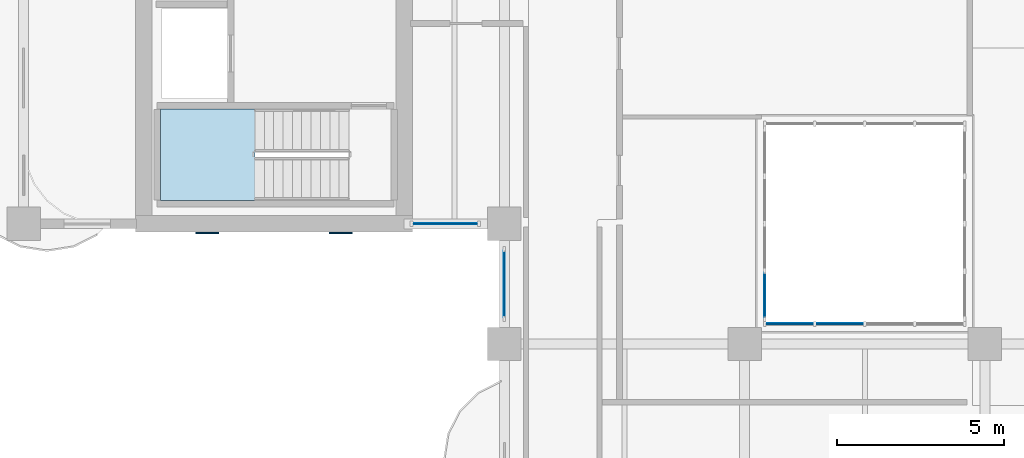
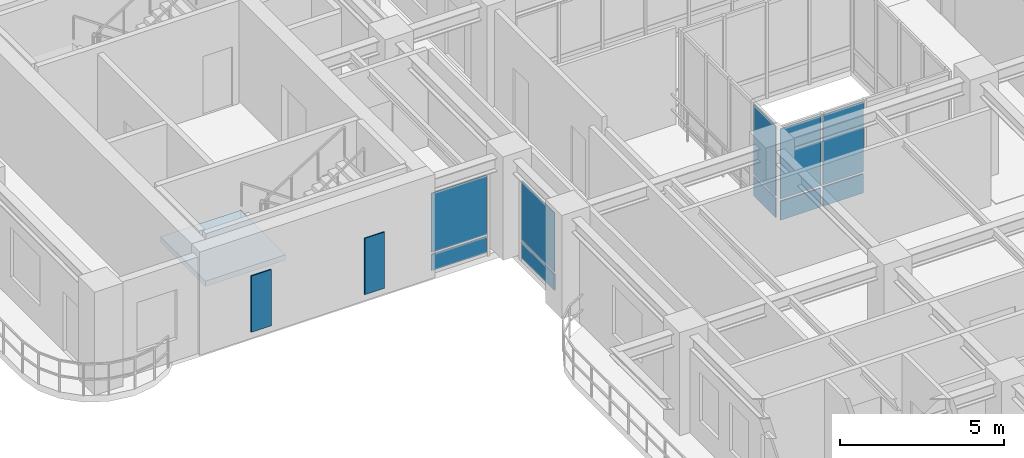
# One storey, part 8 of 19: 12 plates, 1 slab, 5 elements without a shape of their own.
"""IFC4 building model written with IfcOpenShell, lengths in metres."""

from ifc_helpers import new_model, si_unit, derived_unit, direction, frame, origin, origin_2d, place, context, subcontext, project, spatial, polyline, rectangle, outline, extrude, source, transform, mapped, material, layer, layer_set, type_object, type_shapes, element, aggregate, save


model = new_model("IFC4")

# Units and contexts
model_context = context("Model", 3, precision=1e-05, world=origin(), true_north=direction((0.0, 1.0)))
body_context = subcontext(model_context, "Body", "Model", "MODEL_VIEW")
ifc_project = project(units=[si_unit("LENGTHUNIT", "METRE"), si_unit("AREAUNIT", "SQUARE_METRE"), si_unit("VOLUMEUNIT", "CUBIC_METRE"), si_unit("PLANEANGLEUNIT", "RADIAN"), si_unit("MASSUNIT", "GRAM", prefix="KILO"), si_unit("THERMODYNAMICTEMPERATUREUNIT", "KELVIN"), si_unit("POWERUNIT", "WATT"), derived_unit("THERMALTRANSMITTANCEUNIT", [(si_unit("POWERUNIT", "WATT"), 1), (si_unit("AREAUNIT", "SQUARE_METRE"), -1), (si_unit("THERMODYNAMICTEMPERATUREUNIT", "KELVIN"), -1)])], contexts=[model_context])

# Site, building, storey
site_placement = place(None, origin())
site = spatial("IfcSite", under=ifc_project, at=site_placement, CompositionType="ELEMENT")
building_placement = place(site_placement, origin())
building = spatial("IfcBuilding", under=site, at=building_placement, Name="Zahravan Archway Hotel and Residences", CompositionType="ELEMENT")
storey_placement = place(building_placement, frame((0.0, 0.0, 158.0)))
storey = spatial("IfcBuildingStorey", under=building, at=storey_placement, Name="L39", CompositionType="ELEMENT", Elevation=158.0)

# Stair, slab
ifc_material_1 = material(Name="Concrete C50/60", Category="concrete")
stair_type = type_object("IfcStairType", Name="STR-CORE-1300", PredefinedType="HALF_TURN_STAIR", material=ifc_material_1)
stair_placement = place(storey_placement, origin())
stair = element("IfcStair", 1, at=stair_placement, inside=storey, type_object=stair_type, Name="L39 Core B Exit Stair 1", PredefinedType="HALF_TURN_STAIR")
ifc_layer_1 = layer(ifc_material_1, 0.199951171875, Name="Concrete C50/60", Category="concrete")
ifc_layer_set_1 = layer_set([ifc_layer_1], Name="Concrete C50/60")
slab_type = type_object("IfcSlabType", Name="SLB-LND-200", PredefinedType="LANDING", material=ifc_layer_set_1)
slab_placement = place(storey_placement, frame((0.0, 0.0, 1.72509765625)))
slab = element("IfcSlab", 2, at=slab_placement, type_object=slab_type, Name="ST-B1 landing 1", PredefinedType="LANDING", context=body_context, shape_type="SweptSolid", body=[
    extrude(outline(polyline([(6.929931640625, 28.639892578125), (4.10009765625, 28.639892578125), (4.10009765625, 25.89990234375), (6.929931640625, 25.89990234375), (6.929931640625, 28.639892578125)])), origin(), (0.0, 0.0, 1.0), 0.199951171875),
])
aggregate(stair, [slab])

# Plates
ifc_material_2 = material(Name="Perforated Cast Bronze Jali Lattice")
ifc_layer_2 = layer(ifc_material_2, 0.044921875, Name="Perforated Cast Bronze Jali Lattice")
ifc_layer_set_2 = layer_set([ifc_layer_2], Name="Perforated Cast Bronze Jali Lattice")
plate_type_1 = type_object("IfcPlateType", Name="PLT-JALI-BAY", PredefinedType="USERDEFINED", material=ifc_layer_set_2)
shared_shape_1 = source(origin(), body_context, "Body", "SweptSolid", [
    extrude(rectangle(XDim=0.699951171875, YDim=0.044921875, at=origin_2d()), origin(), (0.0, 0.0, 1.0), 2.10009765625),
])
type_shapes(plate_type_1, [shared_shape_1])
for number, where, z_axis, x_axis, name in (
    (3, (5.5, 24.931884765625, 0.25), (0.0, 0.0, 1.0), (1.0, 0.0, 0.0), "L39 Core B South Mughal Jali Screen 1"),
    (4, (9.5, 24.931884765625, 0.25), (0.0, 0.0, 1.0), (1.0, 0.0, 0.0), "L39 Core B South Mughal Jali Screen 2"),
):
    element("IfcPlate", number, at=place(storey_placement, frame(where, z_axis=z_axis, x_axis=x_axis)), inside=storey, type_object=plate_type_1, Name=name, ObjectType="SCREEN", PredefinedType="USERDEFINED", context=body_context, shape_type="MappedRepresentation", body=[
        mapped(shared_shape_1, transform((0.0, 0.0, 0.0), scale=1.0)),
    ])

# Curtain wall, plates
ifc_material_3 = material(Name="Bronze-Anodized Unitised Aluminium & Low-E Glass", Category="aluminium")
ifc_layer_3 = layer(ifc_material_3, 0.179931640625, Name="Bronze-Anodized Unitised Aluminium & Low-E Glass", Category="aluminium")
ifc_layer_set_3 = layer_set([ifc_layer_3], Name="Bronze-Anodized Unitised Aluminium & Low-E Glass")
curtain_wall_type = type_object("IfcCurtainWallType", Name="CW-ATR-GLAZ", PredefinedType="NOTDEFINED", material=ifc_layer_set_3)
curtain_wall_1_placement = place(storey_placement, origin())
curtain_wall_1 = element("IfcCurtainWall", 5, at=curtain_wall_1_placement, inside=storey, type_object=curtain_wall_type, Name="L39 Curtain Wall CW-ATR-L39-S-1", PredefinedType="NOTDEFINED")
ifc_material_4 = material(Name="Insulated Terracotta Spandrel Panel", Category="masonry")
ifc_layer_4 = layer(ifc_material_4, 0.0400390625, Name="Insulated Terracotta Spandrel Panel", Category="masonry")
ifc_layer_set_4 = layer_set([ifc_layer_4], Name="Insulated Terracotta Spandrel Panel")
plate_type_2 = type_object("IfcPlateType", Name="CWP-SPN-40", PredefinedType="SHEET", material=ifc_layer_set_4)
shared_shape_2 = source(origin(), body_context, "Body", "SweptSolid", [
    extrude(rectangle(XDim=1.419921875, YDim=0.0400390625, at=origin_2d()), origin(), (0.0, 0.0, 1.0), 0.7099609375),
])
plate_1_placement = place(storey_placement, frame((22.949951171875, 22.199951171875, 0.10009765625), z_axis=(0.0, 0.0, 1.0), x_axis=(1.0, 0.0, 0.0)))
plate_1 = element("IfcPlate", 6, at=plate_1_placement, type_object=plate_type_2, Name="CW-ATR-L39-S-1 Spandrel Panel 0", PredefinedType="SHEET", context=body_context, shape_type="MappedRepresentation", body=[
    mapped(shared_shape_2, transform((0.0, 0.0, 0.0), scale=1.0)),
])
plate_2_placement = place(storey_placement, frame((24.449951171875, 22.199951171875, 0.10009765625), z_axis=(0.0, 0.0, 1.0), x_axis=(1.0, 0.0, 0.0)))
plate_2 = element("IfcPlate", 7, at=plate_2_placement, type_object=plate_type_2, Name="CW-ATR-L39-S-1 Spandrel Panel 1", PredefinedType="SHEET", context=body_context, shape_type="MappedRepresentation", body=[
    mapped(shared_shape_2, transform((0.0, 0.0, 0.0), scale=1.0)),
])

# Curtain wall, plate
curtain_wall_2_placement = place(storey_placement, origin())
curtain_wall_2 = element("IfcCurtainWall", 8, at=curtain_wall_2_placement, inside=storey, type_object=curtain_wall_type, Name="L39 Curtain Wall CW-ATR-L39-W-1", PredefinedType="NOTDEFINED")
shared_shape_3 = source(origin(), body_context, "Body", "SweptSolid", [
    extrude(rectangle(XDim=1.344970703125, YDim=0.0400390625, at=origin_2d()), origin(), (0.0, 0.0, 1.0), 0.7099609375),
])
plate_3_placement = place(storey_placement, frame((22.199951171875, 23.0625, 0.10009765625), z_axis=(0.0, 0.0, 1.0), x_axis=(0.0, 1.0, 0.0)))
plate_3 = element("IfcPlate", 9, at=plate_3_placement, type_object=plate_type_2, Name="CW-ATR-L39-W-1 Spandrel Panel 0", PredefinedType="SHEET", context=body_context, shape_type="MappedRepresentation", body=[
    mapped(shared_shape_3, transform((0.0, 0.0, 0.0), scale=1.0)),
])

# Curtain wall, plates
curtain_wall_3_placement = place(storey_placement, origin())
curtain_wall_3 = element("IfcCurtainWall", 10, at=curtain_wall_3_placement, inside=storey, type_object=curtain_wall_type, Name="L39 Curtain Wall CW-L39-WA-WLU-1", PredefinedType="NOTDEFINED")
shared_shape_4 = source(origin(), body_context, "Body", "SweptSolid", [
    extrude(rectangle(XDim=2.0, YDim=0.0400390625, at=origin_2d()), origin(), (0.0, 0.0, 1.0), 0.600341796875),
])
plate_4_placement = place(storey_placement, frame((14.39990234375, 23.39990234375, 0.10009765625), z_axis=(0.0, 0.0, 1.0), x_axis=(0.0, 1.0, 0.0)))
plate_4 = element("IfcPlate", 11, at=plate_4_placement, type_object=plate_type_2, Name="CW-L39-WA-WLU-1 Spandrel Panel 0", PredefinedType="SHEET", context=body_context, shape_type="MappedRepresentation", body=[
    mapped(shared_shape_4, transform((0.0, 0.0, 0.0), scale=1.0)),
])
ifc_material_5 = material(Name="Double-Silver Low-E Insulated Vision Glass", Category="glass")
ifc_layer_5 = layer(ifc_material_5, 0.028076171875, Name="Double-Silver Low-E Insulated Vision Glass", Category="glass")
ifc_layer_set_5 = layer_set([ifc_layer_5], Name="Double-Silver Low-E Insulated Vision Glass")
plate_type_3 = type_object("IfcPlateType", Name="CWP-GLZ-28", PredefinedType="CURTAIN_PANEL", material=ifc_layer_set_5)
shared_shape_5 = source(origin(), body_context, "Body", "SweptSolid", [
    extrude(rectangle(XDim=2.0, YDim=0.028076171875, at=origin_2d()), origin(), (0.0, 0.0, 1.0), 2.20458984375),
])
plate_5_placement = place(storey_placement, frame((14.39990234375, 23.39990234375, 0.780517578125), z_axis=(0.0, 0.0, 1.0), x_axis=(0.0, 1.0, 0.0)))
plate_5 = element("IfcPlate", 12, at=plate_5_placement, type_object=plate_type_3, Name="CW-L39-WA-WLU-1 Low-E Vision Panel 0", PredefinedType="CURTAIN_PANEL", context=body_context, shape_type="MappedRepresentation", body=[
    mapped(shared_shape_5, transform((0.0, 0.0, 0.0), scale=1.0)),
])
aggregate(curtain_wall_3, [plate_4, plate_5])

curtain_wall_4_placement = place(storey_placement, origin())
curtain_wall_4 = element("IfcCurtainWall", 13, at=curtain_wall_4_placement, inside=storey, type_object=curtain_wall_type, Name="L39 Curtain Wall CW-L39-WB-SE-1", PredefinedType="NOTDEFINED")
shared_shape_6 = source(origin(), body_context, "Body", "SweptSolid", [
    extrude(rectangle(XDim=1.93994140625, YDim=0.0400390625, at=origin_2d()), origin(), (0.0, 0.0, 1.0), 0.600341796875),
])
plate_6_placement = place(storey_placement, frame((12.6298828125, 25.199951171875, 0.10009765625), z_axis=(0.0, 0.0, 1.0), x_axis=(1.0, 0.0, 0.0)))
plate_6 = element("IfcPlate", 14, at=plate_6_placement, type_object=plate_type_2, Name="CW-L39-WB-SE-1 Spandrel Panel 0", PredefinedType="SHEET", context=body_context, shape_type="MappedRepresentation", body=[
    mapped(shared_shape_6, transform((0.0, 0.0, 0.0), scale=1.0)),
])
shared_shape_7 = source(origin(), body_context, "Body", "SweptSolid", [
    extrude(rectangle(XDim=1.93994140625, YDim=0.028076171875, at=origin_2d()), origin(), (0.0, 0.0, 1.0), 2.20458984375),
])
plate_7_placement = place(storey_placement, frame((12.6298828125, 25.199951171875, 0.780517578125), z_axis=(0.0, 0.0, 1.0), x_axis=(1.0, 0.0, 0.0)))
plate_7 = element("IfcPlate", 15, at=plate_7_placement, type_object=plate_type_3, Name="CW-L39-WB-SE-1 Low-E Vision Panel 0", PredefinedType="CURTAIN_PANEL", context=body_context, shape_type="MappedRepresentation", body=[
    mapped(shared_shape_7, transform((0.0, 0.0, 0.0), scale=1.0)),
])
aggregate(curtain_wall_4, [plate_6, plate_7])

# Plate
shared_shape_8 = source(origin(), body_context, "Body", "SweptSolid", [
    extrude(rectangle(XDim=1.419921875, YDim=0.028076171875, at=origin_2d()), origin(), (0.0, 0.0, 1.0), 2.610107421875),
])
plate_8_placement = place(storey_placement, frame((22.949951171875, 22.199951171875, 0.89013671875), z_axis=(0.0, 0.0, 1.0), x_axis=(1.0, 0.0, 0.0)))
plate_8 = element("IfcPlate", 16, at=plate_8_placement, type_object=plate_type_3, Name="CW-ATR-L39-S-1 Low-E Vision Panel 0", PredefinedType="CURTAIN_PANEL", context=body_context, shape_type="MappedRepresentation", body=[
    mapped(shared_shape_8, transform((0.0, 0.0, 0.0), scale=1.0)),
])

plate_9_placement = place(storey_placement, frame((24.449951171875, 22.199951171875, 0.89013671875), z_axis=(0.0, 0.0, 1.0), x_axis=(1.0, 0.0, 0.0)))
plate_9 = element("IfcPlate", 17, at=plate_9_placement, type_object=plate_type_3, Name="CW-ATR-L39-S-1 Low-E Vision Panel 1", PredefinedType="CURTAIN_PANEL", context=body_context, shape_type="MappedRepresentation", body=[
    mapped(shared_shape_8, transform((0.0, 0.0, 0.0), scale=1.0)),
])

aggregate(curtain_wall_1, [plate_1, plate_8, plate_2, plate_9])

shared_shape_9 = source(origin(), body_context, "Body", "SweptSolid", [
    extrude(rectangle(XDim=1.344970703125, YDim=0.028076171875, at=origin_2d()), origin(), (0.0, 0.0, 1.0), 2.610107421875),
])
plate_10_placement = place(storey_placement, frame((22.199951171875, 23.0625, 0.89013671875), z_axis=(0.0, 0.0, 1.0), x_axis=(0.0, 1.0, 0.0)))
plate_10 = element("IfcPlate", 18, at=plate_10_placement, type_object=plate_type_3, Name="CW-ATR-L39-W-1 Low-E Vision Panel 0", PredefinedType="CURTAIN_PANEL", context=body_context, shape_type="MappedRepresentation", body=[
    mapped(shared_shape_9, transform((0.0, 0.0, 0.0), scale=1.0)),
])

aggregate(curtain_wall_2, [plate_3, plate_10])

save(model, "model.ifc")
